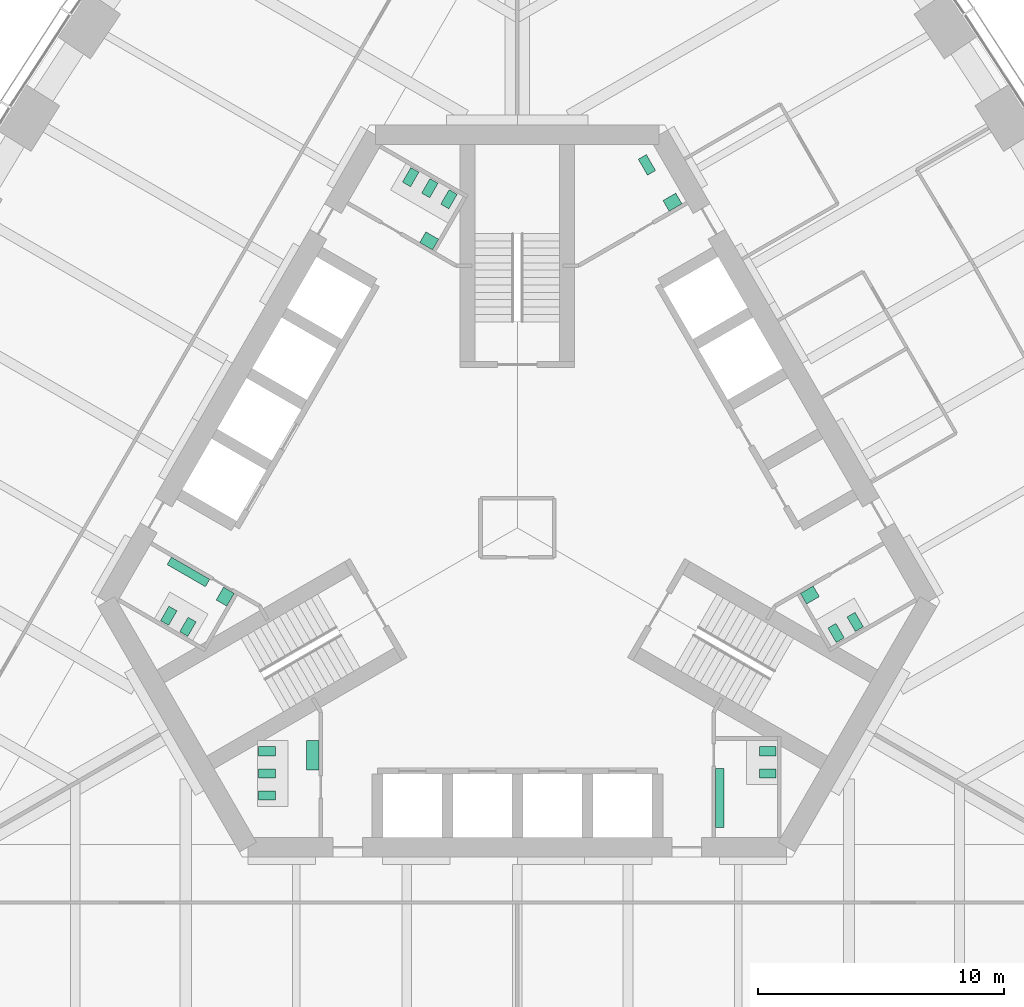
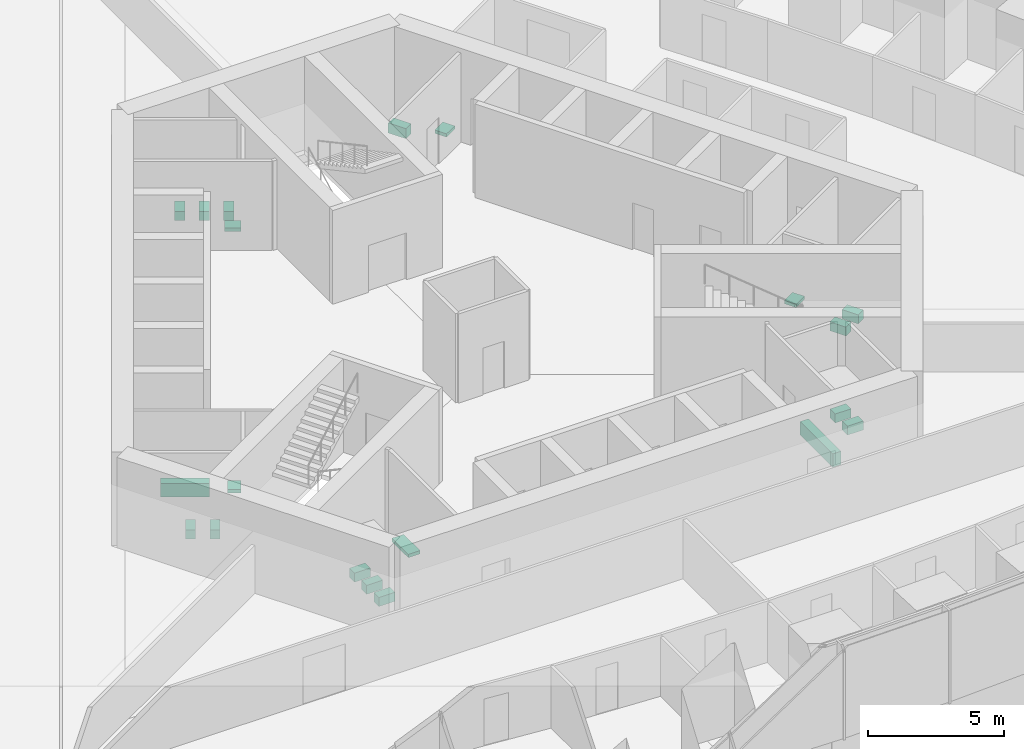
# One storey, part 17 of 18: 20 sanitary terminals.
"""IFC4 building model written with IfcOpenShell, lengths in metres."""

from ifc_helpers import new_model, si_unit, direction, frame, origin, place, context, subcontext, project, spatial, polyline, outline, extrude, material, type_object, element, save


model = new_model("IFC4")

# Units and contexts
model_context = context("Model", 3, precision=1e-05, world=origin(), true_north=direction((0.0, 1.0)))
body_context = subcontext(model_context, "Body", "Model", "MODEL_VIEW")
ifc_project = project(units=[si_unit("LENGTHUNIT", "METRE"), si_unit("AREAUNIT", "SQUARE_METRE"), si_unit("VOLUMEUNIT", "CUBIC_METRE"), si_unit("PLANEANGLEUNIT", "RADIAN"), si_unit("MASSUNIT", "GRAM", prefix="KILO")], contexts=[model_context])

# Site, building, storey
site_placement = place(None, origin())
site = spatial("IfcSite", under=ifc_project, at=site_placement, CompositionType="ELEMENT")
building_placement = place(site_placement, origin())
building = spatial("IfcBuilding", under=site, at=building_placement, Name="Trefoil Bronze Tower", CompositionType="ELEMENT")
storey_placement = place(building_placement, frame((0.0, 0.0, 111.5)))
storey = spatial("IfcBuildingStorey", under=building, at=storey_placement, Name="L25", CompositionType="ELEMENT", Elevation=111.5)

# Sanitary terminals
ifc_material_1 = material(Name="Vitreous china", Category="ceramic")
sanitary_terminal_type_1 = type_object("IfcSanitaryTerminalType", Name="Accessible WC pan", PredefinedType="TOILETPAN", material=ifc_material_1)
sanitary_terminal_1_placement = place(storey_placement, origin())
element("IfcSanitaryTerminal", 1, at=sanitary_terminal_1_placement, inside=storey, type_object=sanitary_terminal_type_1, Name="WC pan 1 Accessible WC L25", PredefinedType="TOILETPAN", context=body_context, shape_type="SweptSolid", body=[
    extrude(outline(polyline([(5.300537109375, 14.359130859375), (4.925537109375, 15.008544921875), (5.254638671875, 15.198486328125), (5.629638671875, 14.549072265625), (5.300537109375, 14.359130859375)])), origin(), (0.0, 0.0, 1.0), 0.449951171875),
])
ifc_material_2 = material(Name="Vitreous china", Category="ceramic")
sanitary_terminal_type_2 = type_object("IfcSanitaryTerminalType", Name="Accessible basin", PredefinedType="WASHHANDBASIN", material=ifc_material_2)
sanitary_terminal_2_placement = place(storey_placement, frame((0.0, 0.0, 0.64990234375)))
element("IfcSanitaryTerminal", 2, at=sanitary_terminal_2_placement, inside=storey, type_object=sanitary_terminal_type_2, Name="Wash basin Accessible WC L25", PredefinedType="WASHHANDBASIN", context=body_context, shape_type="SweptSolid", body=[
    extrude(outline(polyline([(6.181640625, 12.89306640625), (5.931640625, 13.326171875), (6.451171875, 13.626220703125), (6.701171875, 13.193115234375), (6.181640625, 12.89306640625)])), origin(), (0.0, 0.0, 1.0), 0.150146484375),
])
ifc_material_3 = material(Name="Vitreous china", Category="ceramic")
sanitary_terminal_type_3 = type_object("IfcSanitaryTerminalType", Name="Urinal range 3 urinals", PredefinedType="URINAL", material=ifc_material_3)
sanitary_terminal_3_placement = place(storey_placement, frame((0.0, 0.0, 0.39990234375)))
element("IfcSanitaryTerminal", 3, at=sanitary_terminal_3_placement, inside=storey, type_object=sanitary_terminal_type_3, Name="Urinal range WC (men) L25", PredefinedType="URINAL", context=body_context, shape_type="SweptSolid", body=[
    extrude(outline(polyline([(-12.524658203125, -2.09326171875), (-12.699462890625, -2.396240234375), (-14.25830078125, -1.496337890625), (-14.08349609375, -1.193115234375), (-12.524658203125, -2.09326171875)])), origin(), (0.0, 0.0, 1.0), 0.60009765625),
])
ifc_material_4 = material(Name="Vitreous china", Category="ceramic")
sanitary_terminal_type_4 = type_object("IfcSanitaryTerminalType", Name="Urinal range 4 urinals", PredefinedType="URINAL", material=ifc_material_4)
sanitary_terminal_4_placement = place(storey_placement, frame((0.0, 0.0, 0.39990234375)))
element("IfcSanitaryTerminal", 4, at=sanitary_terminal_4_placement, inside=storey, type_object=sanitary_terminal_type_4, Name="Urinal range WC (men) L25", PredefinedType="URINAL", context=body_context, shape_type="SweptSolid", body=[
    extrude(outline(polyline([(8.074951171875, -9.800048828125), (8.425048828125, -9.800048828125), (8.425048828125, -12.199951171875), (8.074951171875, -12.199951171875), (8.074951171875, -9.800048828125)])), origin(), (0.0, 0.0, 1.0), 0.60009765625),
])
ifc_material_5 = material(Name="Solid surface vanity", Category="plastic")
sanitary_terminal_type_5 = type_object("IfcSanitaryTerminalType", Name="Vanity unit 1 basins", PredefinedType="WASHHANDBASIN", material=ifc_material_5)
sanitary_terminal_5_placement = place(storey_placement, frame((0.0, 0.0, 0.75)))
element("IfcSanitaryTerminal", 5, at=sanitary_terminal_5_placement, inside=storey, type_object=sanitary_terminal_type_5, Name="Vanity unit WC (women) L25", PredefinedType="WASHHANDBASIN", context=body_context, shape_type="SweptSolid", body=[
    extrude(outline(polyline([(11.528564453125, -2.668212890625), (11.778564453125, -3.10107421875), (12.29833984375, -2.80126953125), (12.04833984375, -2.3681640625), (11.528564453125, -2.668212890625)])), origin(), (0.0, 0.0, 1.0), 0.14990234375),
])
sanitary_terminal_6_placement = place(storey_placement, frame((0.0, 0.0, 0.75)))
element("IfcSanitaryTerminal", 6, at=sanitary_terminal_6_placement, inside=storey, type_object=sanitary_terminal_type_5, Name="Vanity unit WC (women) L25", PredefinedType="WASHHANDBASIN", context=body_context, shape_type="SweptSolid", body=[
    extrude(outline(polyline([(-3.45361328125, 11.318115234375), (-3.20361328125, 11.751220703125), (-3.72314453125, 12.05126953125), (-3.97314453125, 11.6181640625), (-3.45361328125, 11.318115234375)])), origin(), (0.0, 0.0, 1.0), 0.14990234375),
])
sanitary_terminal_7_placement = place(storey_placement, frame((0.0, 0.0, 0.75)))
element("IfcSanitaryTerminal", 7, at=sanitary_terminal_7_placement, inside=storey, type_object=sanitary_terminal_type_5, Name="Vanity unit WC (men) L25", PredefinedType="WASHHANDBASIN", context=body_context, shape_type="SweptSolid", body=[
    extrude(outline(polyline([(-11.528564453125, -2.668212890625), (-11.82861328125, -3.187744140625), (-12.26171875, -2.937744140625), (-11.961669921875, -2.418212890625), (-11.528564453125, -2.668212890625)])), origin(), (0.0, 0.0, 1.0), 0.14990234375),
])
ifc_material_6 = material(Name="Solid surface vanity", Category="plastic")
sanitary_terminal_type_6 = type_object("IfcSanitaryTerminalType", Name="Vanity unit 2 basins", PredefinedType="WASHHANDBASIN", material=ifc_material_6)
sanitary_terminal_8_placement = place(storey_placement, frame((0.0, 0.0, 0.75)))
element("IfcSanitaryTerminal", 8, at=sanitary_terminal_8_placement, inside=storey, type_object=sanitary_terminal_type_6, Name="Vanity unit WC (women) L25", PredefinedType="WASHHANDBASIN", context=body_context, shape_type="SweptSolid", body=[
    extrude(outline(polyline([(-8.074951171875, -8.64990234375), (-8.574951171875, -8.64990234375), (-8.574951171875, -9.85009765625), (-8.074951171875, -9.85009765625), (-8.074951171875, -8.64990234375)])), origin(), (0.0, 0.0, 1.0), 0.14990234375),
])
ifc_material_7 = material(Name="Vitreous china", Category="ceramic")
sanitary_terminal_type_7 = type_object("IfcSanitaryTerminalType", Name="WC pan", PredefinedType="TOILETPAN", material=ifc_material_7)
sanitary_terminal_9_placement = place(storey_placement, origin())
element("IfcSanitaryTerminal", 9, at=sanitary_terminal_9_placement, inside=storey, type_object=sanitary_terminal_type_7, Name="WC pan 1 WC (men) L25", PredefinedType="TOILETPAN", context=body_context, shape_type="SweptSolid", body=[
    extrude(outline(polyline([(9.85498046875, -8.909912109375), (10.534912109375, -8.909912109375), (10.534912109375, -9.2900390625), (9.85498046875, -9.2900390625), (9.85498046875, -8.909912109375)])), origin(), (0.0, 0.0, 1.0), 0.39990234375),
])
sanitary_terminal_10_placement = place(storey_placement, origin())
element("IfcSanitaryTerminal", 10, at=sanitary_terminal_10_placement, inside=storey, type_object=sanitary_terminal_type_7, Name="WC pan 2 WC (men) L25", PredefinedType="TOILETPAN", context=body_context, shape_type="SweptSolid", body=[
    extrude(outline(polyline([(9.85498046875, -9.81005859375), (10.534912109375, -9.81005859375), (10.534912109375, -10.18994140625), (9.85498046875, -10.18994140625), (9.85498046875, -9.81005859375)])), origin(), (0.0, 0.0, 1.0), 0.39990234375),
])
sanitary_terminal_11_placement = place(storey_placement, origin())
element("IfcSanitaryTerminal", 11, at=sanitary_terminal_11_placement, inside=storey, type_object=sanitary_terminal_type_7, Name="WC pan 1 WC (women) L25", PredefinedType="TOILETPAN", context=body_context, shape_type="SweptSolid", body=[
    extrude(outline(polyline([(12.643798828125, -4.07958984375), (12.98388671875, -4.66845703125), (13.31298828125, -4.478515625), (12.972900390625, -3.8896484375), (12.643798828125, -4.07958984375)])), origin(), (0.0, 0.0, 1.0), 0.39990234375),
])
sanitary_terminal_12_placement = place(storey_placement, origin())
element("IfcSanitaryTerminal", 12, at=sanitary_terminal_12_placement, inside=storey, type_object=sanitary_terminal_type_7, Name="WC pan 2 WC (women) L25", PredefinedType="TOILETPAN", context=body_context, shape_type="SweptSolid", body=[
    extrude(outline(polyline([(13.423095703125, -3.629638671875), (13.76318359375, -4.218505859375), (14.09228515625, -4.028564453125), (13.752197265625, -3.439697265625), (13.423095703125, -3.629638671875)])), origin(), (0.0, 0.0, 1.0), 0.39990234375),
])
sanitary_terminal_13_placement = place(storey_placement, origin())
element("IfcSanitaryTerminal", 13, at=sanitary_terminal_13_placement, inside=storey, type_object=sanitary_terminal_type_7, Name="WC pan 1 WC (women) L25", PredefinedType="TOILETPAN", context=body_context, shape_type="SweptSolid", body=[
    extrude(outline(polyline([(-2.788818359375, 12.98974609375), (-2.44873046875, 13.57861328125), (-2.77783203125, 13.7685546875), (-3.117919921875, 13.1796875), (-2.788818359375, 12.98974609375)])), origin(), (0.0, 0.0, 1.0), 0.39990234375),
])
sanitary_terminal_14_placement = place(storey_placement, origin())
element("IfcSanitaryTerminal", 14, at=sanitary_terminal_14_placement, inside=storey, type_object=sanitary_terminal_type_7, Name="WC pan 2 WC (women) L25", PredefinedType="TOILETPAN", context=body_context, shape_type="SweptSolid", body=[
    extrude(outline(polyline([(-3.568115234375, 13.439697265625), (-3.228271484375, 14.028564453125), (-3.557373046875, 14.218505859375), (-3.897216796875, 13.629638671875), (-3.568115234375, 13.439697265625)])), origin(), (0.0, 0.0, 1.0), 0.39990234375),
])
sanitary_terminal_15_placement = place(storey_placement, origin())
element("IfcSanitaryTerminal", 15, at=sanitary_terminal_15_placement, inside=storey, type_object=sanitary_terminal_type_7, Name="WC pan 3 WC (women) L25", PredefinedType="TOILETPAN", context=body_context, shape_type="SweptSolid", body=[
    extrude(outline(polyline([(-4.34765625, 13.8896484375), (-4.007568359375, 14.478515625), (-4.336669921875, 14.66845703125), (-4.6767578125, 14.07958984375), (-4.34765625, 13.8896484375)])), origin(), (0.0, 0.0, 1.0), 0.39990234375),
])
sanitary_terminal_16_placement = place(storey_placement, origin())
element("IfcSanitaryTerminal", 16, at=sanitary_terminal_16_placement, inside=storey, type_object=sanitary_terminal_type_7, Name="WC pan 1 WC (men) L25", PredefinedType="TOILETPAN", context=body_context, shape_type="SweptSolid", body=[
    extrude(outline(polyline([(-13.076904296875, -3.82958984375), (-13.416748046875, -4.41845703125), (-13.745849609375, -4.228515625), (-13.406005859375, -3.6396484375), (-13.076904296875, -3.82958984375)])), origin(), (0.0, 0.0, 1.0), 0.39990234375),
])
sanitary_terminal_17_placement = place(storey_placement, origin())
element("IfcSanitaryTerminal", 17, at=sanitary_terminal_17_placement, inside=storey, type_object=sanitary_terminal_type_7, Name="WC pan 2 WC (men) L25", PredefinedType="TOILETPAN", context=body_context, shape_type="SweptSolid", body=[
    extrude(outline(polyline([(-13.856201171875, -3.379638671875), (-14.1962890625, -3.968505859375), (-14.525390625, -3.778564453125), (-14.185302734375, -3.189697265625), (-13.856201171875, -3.379638671875)])), origin(), (0.0, 0.0, 1.0), 0.39990234375),
])
sanitary_terminal_18_placement = place(storey_placement, origin())
element("IfcSanitaryTerminal", 18, at=sanitary_terminal_18_placement, inside=storey, type_object=sanitary_terminal_type_7, Name="WC pan 1 WC (women) L25", PredefinedType="TOILETPAN", context=body_context, shape_type="SweptSolid", body=[
    extrude(outline(polyline([(-9.85498046875, -8.909912109375), (-10.534912109375, -8.909912109375), (-10.534912109375, -9.2900390625), (-9.85498046875, -9.2900390625), (-9.85498046875, -8.909912109375)])), origin(), (0.0, 0.0, 1.0), 0.39990234375),
])
sanitary_terminal_19_placement = place(storey_placement, origin())
element("IfcSanitaryTerminal", 19, at=sanitary_terminal_19_placement, inside=storey, type_object=sanitary_terminal_type_7, Name="WC pan 2 WC (women) L25", PredefinedType="TOILETPAN", context=body_context, shape_type="SweptSolid", body=[
    extrude(outline(polyline([(-9.85498046875, -9.81005859375), (-10.534912109375, -9.81005859375), (-10.534912109375, -10.18994140625), (-9.85498046875, -10.18994140625), (-9.85498046875, -9.81005859375)])), origin(), (0.0, 0.0, 1.0), 0.39990234375),
])
sanitary_terminal_20_placement = place(storey_placement, origin())
element("IfcSanitaryTerminal", 20, at=sanitary_terminal_20_placement, inside=storey, type_object=sanitary_terminal_type_7, Name="WC pan 3 WC (women) L25", PredefinedType="TOILETPAN", context=body_context, shape_type="SweptSolid", body=[
    extrude(outline(polyline([(-9.85498046875, -10.7099609375), (-10.534912109375, -10.7099609375), (-10.534912109375, -11.090087890625), (-9.85498046875, -11.090087890625), (-9.85498046875, -10.7099609375)])), origin(), (0.0, 0.0, 1.0), 0.39990234375),
])

save(model, "model.ifc")
